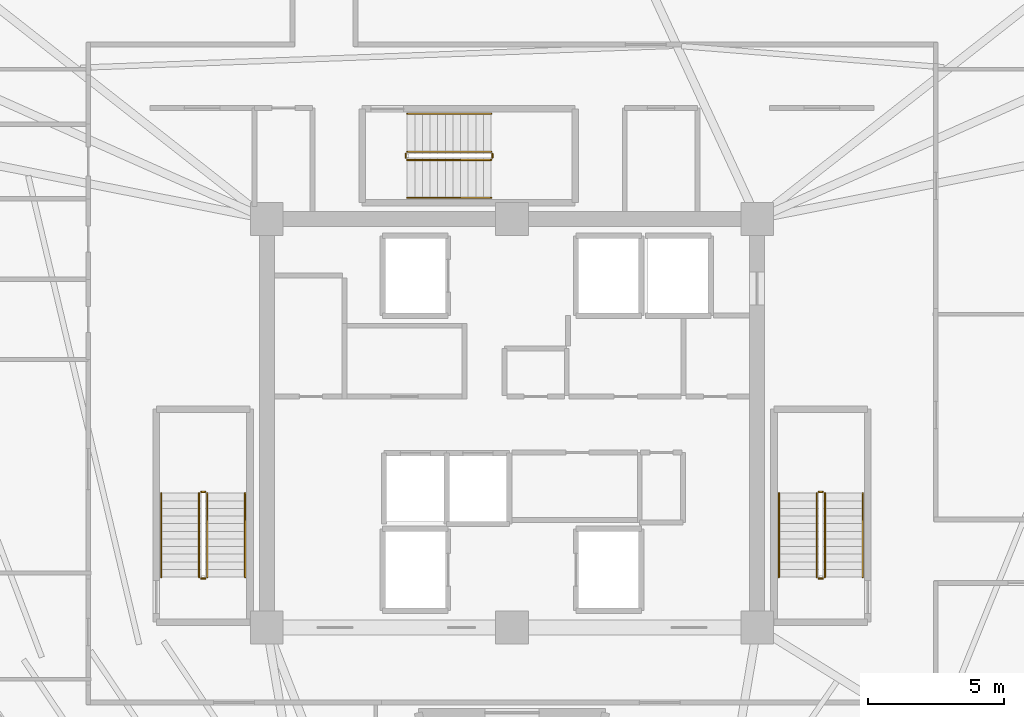
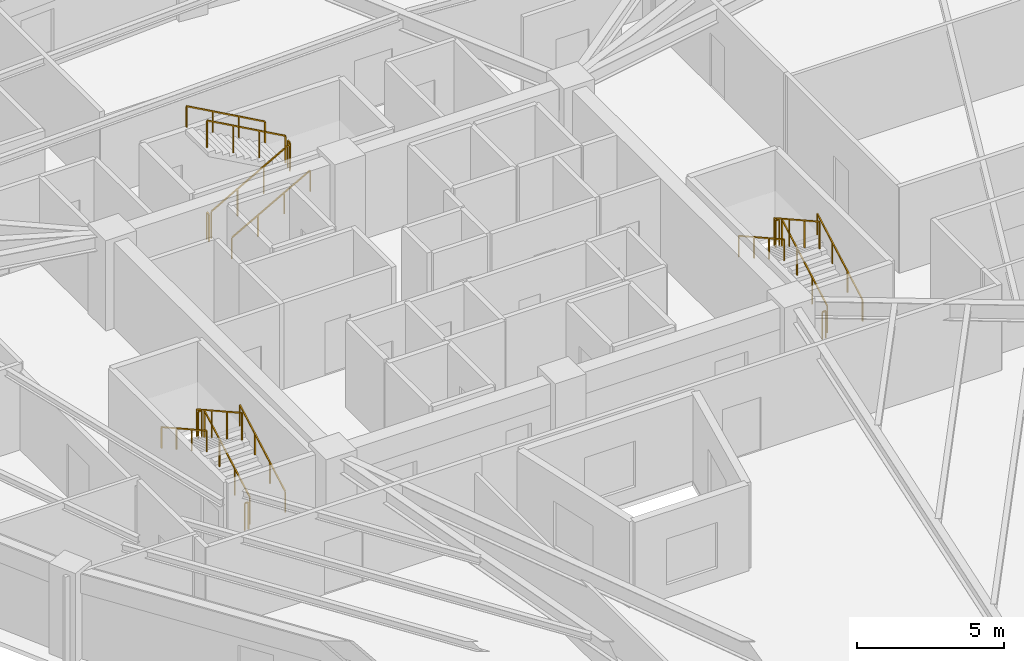
# One storey, part 8 of 8: 18 railings.
"""IFC4 building model written with IfcOpenShell, lengths in metres."""

from ifc_helpers import new_model, si_unit, direction, frame, origin, origin_2d, place, context, subcontext, project, spatial, rectangle, extrude, material, type_object, element, save


model = new_model("IFC4")

# Units and contexts
model_context = context("Model", 3, precision=1e-05, world=origin(), true_north=direction((0.0, 1.0)))
body_context = subcontext(model_context, "Body", "Model", "MODEL_VIEW")
ifc_project = project(units=[si_unit("LENGTHUNIT", "METRE"), si_unit("AREAUNIT", "SQUARE_METRE"), si_unit("VOLUMEUNIT", "CUBIC_METRE"), si_unit("PLANEANGLEUNIT", "RADIAN"), si_unit("MASSUNIT", "GRAM", prefix="KILO")], contexts=[model_context])

# Site, building, storey
site_placement = place(None, origin())
site = spatial("IfcSite", under=ifc_project, at=site_placement, CompositionType="ELEMENT")
building_placement = place(site_placement, origin())
building = spatial("IfcBuilding", under=site, at=building_placement, Name="Liaohun Quay Tower", CompositionType="ELEMENT")
storey_placement = place(building_placement, frame((0.0, 0.0, 312.75)))
storey = spatial("IfcBuildingStorey", under=building, at=storey_placement, Name="L81", CompositionType="ELEMENT", Elevation=312.75)

# Railings
ifc_material_1 = material(Name="Painted tubular steel", Category="steel")
railing_type_1 = type_object("IfcRailingType", Name="RLG-GUARD-STR", PredefinedType="GUARDRAIL", material=ifc_material_1)
railing_1_placement = place(storey_placement, frame((48.81005859375, 48.35009765625, 0.15625)))
element("IfcRailing", 1, at=railing_1_placement, inside=storey, type_object=railing_type_1, Name="L81 ST-1 stair guard 1", PredefinedType="GUARDRAIL", context=body_context, shape_type="SweptSolid", body=[
    extrude(rectangle(XDim=0.048095703125, YDim=0.048095703125, at=origin_2d()), frame((0.0, 0.0, 1.1259765625), z_axis=(0.0, 0.873225103656, 0.487317061414), x_axis=(-1.0, 0.0, 0.0)), (0.0, 0.0, 1.0), 3.52685546875),
    extrude(rectangle(XDim=0.0419921875, YDim=0.0419921875, at=origin_2d()), origin(), (0.0, 0.0, 1.0), 1.101806640625),
    extrude(rectangle(XDim=0.0419921875, YDim=0.0419921875, at=origin_2d()), frame((0.0, 1.026611328125, 0.572998046875)), (0.0, 0.0, 1.0), 1.101806640625),
    extrude(rectangle(XDim=0.0419921875, YDim=0.0419921875, at=origin_2d()), frame((0.0, 2.05322265625, 1.145751953125)), (0.0, 0.0, 1.0), 1.101806640625),
    extrude(rectangle(XDim=0.0419921875, YDim=0.0419921875, at=origin_2d()), frame((0.0, 3.079833984375, 1.71875)), (0.0, 0.0, 1.0), 1.101806640625),
])
railing_2_placement = place(storey_placement, frame((48.72998046875, 51.47998046875, 1.875)))
element("IfcRailing", 2, at=railing_2_placement, inside=storey, type_object=railing_type_1, Name="L81 ST-1 stair guard 2", PredefinedType="GUARDRAIL", context=body_context, shape_type="SweptSolid", body=[
    extrude(rectangle(XDim=0.048095703125, YDim=0.048095703125, at=origin_2d()), frame((0.0, 0.0, 1.1259765625), z_axis=(-1.0, 0.0, 0.0), x_axis=(0.0, -1.0, 0.0)), (0.0, 0.0, 1.0), 0.139892578125),
    extrude(rectangle(XDim=0.0419921875, YDim=0.0419921875, at=origin_2d()), origin(), (0.0, 0.0, 1.0), 1.101806640625),
    extrude(rectangle(XDim=0.0419921875, YDim=0.0419921875, at=origin_2d()), frame((-0.139892578125, 0.0, 0.0)), (0.0, 0.0, 1.0), 1.101806640625),
])
railing_3_placement = place(storey_placement, frame((48.510009765625, 51.429931640625, 2.03125)))
element("IfcRailing", 3, at=railing_3_placement, inside=storey, type_object=railing_type_1, Name="L81 ST-1 stair guard 3", PredefinedType="GUARDRAIL", context=body_context, shape_type="SweptSolid", body=[
    extrude(rectangle(XDim=0.048095703125, YDim=0.048095703125, at=origin_2d()), frame((0.0, 0.0, 1.1259765625), z_axis=(0.0, -0.873225103656, 0.487317061414), x_axis=(1.0, 0.0, 0.0)), (0.0, 0.0, 1.0), 3.52685546875),
    extrude(rectangle(XDim=0.0419921875, YDim=0.0419921875, at=origin_2d()), origin(), (0.0, 0.0, 1.0), 1.101806640625),
    extrude(rectangle(XDim=0.0419921875, YDim=0.0419921875, at=origin_2d()), frame((0.0, -1.026611328125, 0.572998046875)), (0.0, 0.0, 1.0), 1.101806640625),
    extrude(rectangle(XDim=0.0419921875, YDim=0.0419921875, at=origin_2d()), frame((0.0, -2.05322265625, 1.145751953125)), (0.0, 0.0, 1.0), 1.101806640625),
    extrude(rectangle(XDim=0.0419921875, YDim=0.0419921875, at=origin_2d()), frame((0.0, -3.079833984375, 1.71875)), (0.0, 0.0, 1.0), 1.101806640625),
])
railing_4_placement = place(storey_placement, frame((48.72998046875, 48.300048828125, 0.0)))
element("IfcRailing", 4, at=railing_4_placement, inside=storey, type_object=railing_type_1, Name="L81 ST-1 stair guard 4", PredefinedType="GUARDRAIL", context=body_context, shape_type="SweptSolid", body=[
    extrude(rectangle(XDim=0.048095703125, YDim=0.048095703125, at=origin_2d()), frame((0.0, 0.0, 1.1259765625), z_axis=(-1.0, 0.0, 0.0), x_axis=(0.0, -1.0, 0.0)), (0.0, 0.0, 1.0), 0.139892578125),
    extrude(rectangle(XDim=0.0419921875, YDim=0.0419921875, at=origin_2d()), origin(), (0.0, 0.0, 1.0), 1.101806640625),
    extrude(rectangle(XDim=0.0419921875, YDim=0.0419921875, at=origin_2d()), frame((-0.139892578125, 0.0, 0.0)), (0.0, 0.0, 1.0), 1.101806640625),
])
railing_5_placement = place(storey_placement, frame((71.489990234375, 48.35009765625, 0.15625)))
element("IfcRailing", 5, at=railing_5_placement, inside=storey, type_object=railing_type_1, Name="L81 ST-2 stair guard 1", PredefinedType="GUARDRAIL", context=body_context, shape_type="SweptSolid", body=[
    extrude(rectangle(XDim=0.048095703125, YDim=0.048095703125, at=origin_2d()), frame((0.0, 0.0, 1.1259765625), z_axis=(0.0, 0.873225103656, 0.487317061414), x_axis=(-1.0, 0.0, 0.0)), (0.0, 0.0, 1.0), 3.52685546875),
    extrude(rectangle(XDim=0.0419921875, YDim=0.0419921875, at=origin_2d()), origin(), (0.0, 0.0, 1.0), 1.101806640625),
    extrude(rectangle(XDim=0.0419921875, YDim=0.0419921875, at=origin_2d()), frame((0.0, 1.026611328125, 0.572998046875)), (0.0, 0.0, 1.0), 1.101806640625),
    extrude(rectangle(XDim=0.0419921875, YDim=0.0419921875, at=origin_2d()), frame((0.0, 2.05322265625, 1.145751953125)), (0.0, 0.0, 1.0), 1.101806640625),
    extrude(rectangle(XDim=0.0419921875, YDim=0.0419921875, at=origin_2d()), frame((0.0, 3.079833984375, 1.71875)), (0.0, 0.0, 1.0), 1.101806640625),
])
railing_6_placement = place(storey_placement, frame((71.409912109375, 51.47998046875, 1.875)))
element("IfcRailing", 6, at=railing_6_placement, inside=storey, type_object=railing_type_1, Name="L81 ST-2 stair guard 2", PredefinedType="GUARDRAIL", context=body_context, shape_type="SweptSolid", body=[
    extrude(rectangle(XDim=0.048095703125, YDim=0.048095703125, at=origin_2d()), frame((0.0, 0.0, 1.1259765625), z_axis=(-1.0, 0.0, 0.0), x_axis=(0.0, -1.0, 0.0)), (0.0, 0.0, 1.0), 0.139892578125),
    extrude(rectangle(XDim=0.0419921875, YDim=0.0419921875, at=origin_2d()), origin(), (0.0, 0.0, 1.0), 1.101806640625),
    extrude(rectangle(XDim=0.0419921875, YDim=0.0419921875, at=origin_2d()), frame((-0.139892578125, 0.0, 0.0)), (0.0, 0.0, 1.0), 1.101806640625),
])
railing_7_placement = place(storey_placement, frame((71.18994140625, 51.429931640625, 2.03125)))
element("IfcRailing", 7, at=railing_7_placement, inside=storey, type_object=railing_type_1, Name="L81 ST-2 stair guard 3", PredefinedType="GUARDRAIL", context=body_context, shape_type="SweptSolid", body=[
    extrude(rectangle(XDim=0.048095703125, YDim=0.048095703125, at=origin_2d()), frame((0.0, 0.0, 1.1259765625), z_axis=(0.0, -0.873225103656, 0.487317061414), x_axis=(1.0, 0.0, 0.0)), (0.0, 0.0, 1.0), 3.52685546875),
    extrude(rectangle(XDim=0.0419921875, YDim=0.0419921875, at=origin_2d()), origin(), (0.0, 0.0, 1.0), 1.101806640625),
    extrude(rectangle(XDim=0.0419921875, YDim=0.0419921875, at=origin_2d()), frame((0.0, -1.026611328125, 0.572998046875)), (0.0, 0.0, 1.0), 1.101806640625),
    extrude(rectangle(XDim=0.0419921875, YDim=0.0419921875, at=origin_2d()), frame((0.0, -2.05322265625, 1.145751953125)), (0.0, 0.0, 1.0), 1.101806640625),
    extrude(rectangle(XDim=0.0419921875, YDim=0.0419921875, at=origin_2d()), frame((0.0, -3.079833984375, 1.71875)), (0.0, 0.0, 1.0), 1.101806640625),
])
railing_8_placement = place(storey_placement, frame((71.409912109375, 48.300048828125, 0.0)))
element("IfcRailing", 8, at=railing_8_placement, inside=storey, type_object=railing_type_1, Name="L81 ST-2 stair guard 4", PredefinedType="GUARDRAIL", context=body_context, shape_type="SweptSolid", body=[
    extrude(rectangle(XDim=0.048095703125, YDim=0.048095703125, at=origin_2d()), frame((0.0, 0.0, 1.1259765625), z_axis=(-1.0, 0.0, 0.0), x_axis=(0.0, -1.0, 0.0)), (0.0, 0.0, 1.0), 0.139892578125),
    extrude(rectangle(XDim=0.0419921875, YDim=0.0419921875, at=origin_2d()), origin(), (0.0, 0.0, 1.0), 1.101806640625),
    extrude(rectangle(XDim=0.0419921875, YDim=0.0419921875, at=origin_2d()), frame((-0.139892578125, 0.0, 0.0)), (0.0, 0.0, 1.0), 1.101806640625),
])
railing_9_placement = place(storey_placement, frame((56.14990234375, 63.669921875, 0.15625)))
element("IfcRailing", 9, at=railing_9_placement, inside=storey, type_object=railing_type_1, Name="L81 ST-3 stair guard 1", PredefinedType="GUARDRAIL", context=body_context, shape_type="SweptSolid", body=[
    extrude(rectangle(XDim=0.048095703125, YDim=0.048095703125, at=origin_2d()), frame((0.0, 0.0, 1.1259765625), z_axis=(0.873241540666, 0.0, 0.487287606713), x_axis=(0.0, 1.0, 0.0)), (0.0, 0.0, 1.0), 3.527099609375),
    extrude(rectangle(XDim=0.0419921875, YDim=0.0419921875, at=origin_2d()), origin(), (0.0, 0.0, 1.0), 1.101806640625),
    extrude(rectangle(XDim=0.0419921875, YDim=0.0419921875, at=origin_2d()), frame((1.026611328125, 0.0, 0.572998046875)), (0.0, 0.0, 1.0), 1.101806640625),
    extrude(rectangle(XDim=0.0419921875, YDim=0.0419921875, at=origin_2d()), frame((2.053466796875, 0.0, 1.145751953125)), (0.0, 0.0, 1.0), 1.101806640625),
    extrude(rectangle(XDim=0.0419921875, YDim=0.0419921875, at=origin_2d()), frame((3.080078125, 0.0, 1.71875)), (0.0, 0.0, 1.0), 1.101806640625),
])
railing_10_placement = place(storey_placement, frame((59.280029296875, 63.75, 1.875)))
element("IfcRailing", 10, at=railing_10_placement, inside=storey, type_object=railing_type_1, Name="L81 ST-3 stair guard 2", PredefinedType="GUARDRAIL", context=body_context, shape_type="SweptSolid", body=[
    extrude(rectangle(XDim=0.048095703125, YDim=0.048095703125, at=origin_2d()), frame((0.0, 0.0, 1.1259765625), z_axis=(0.0, 1.0, 0.0), x_axis=(-1.0, 0.0, 0.0)), (0.0, 0.0, 1.0), 0.139892578125),
    extrude(rectangle(XDim=0.0419921875, YDim=0.0419921875, at=origin_2d()), origin(), (0.0, 0.0, 1.0), 1.101806640625),
    extrude(rectangle(XDim=0.0419921875, YDim=0.0419921875, at=origin_2d()), frame((0.0, 0.139892578125, 0.0)), (0.0, 0.0, 1.0), 1.101806640625),
])
railing_11_placement = place(storey_placement, frame((59.22998046875, 63.969970703125, 2.03125)))
element("IfcRailing", 11, at=railing_11_placement, inside=storey, type_object=railing_type_1, Name="L81 ST-3 stair guard 3", PredefinedType="GUARDRAIL", context=body_context, shape_type="SweptSolid", body=[
    extrude(rectangle(XDim=0.048095703125, YDim=0.048095703125, at=origin_2d()), frame((0.0, 0.0, 1.1259765625), z_axis=(-0.873241540666, 0.0, 0.487287606713), x_axis=(0.0, -1.0, 0.0)), (0.0, 0.0, 1.0), 3.527099609375),
    extrude(rectangle(XDim=0.0419921875, YDim=0.0419921875, at=origin_2d()), origin(), (0.0, 0.0, 1.0), 1.101806640625),
    extrude(rectangle(XDim=0.0419921875, YDim=0.0419921875, at=origin_2d()), frame((-1.026611328125, 0.0, 0.572998046875)), (0.0, 0.0, 1.0), 1.101806640625),
    extrude(rectangle(XDim=0.0419921875, YDim=0.0419921875, at=origin_2d()), frame((-2.053466796875, 0.0, 1.145751953125)), (0.0, 0.0, 1.0), 1.101806640625),
    extrude(rectangle(XDim=0.0419921875, YDim=0.0419921875, at=origin_2d()), frame((-3.080078125, 0.0, 1.71875)), (0.0, 0.0, 1.0), 1.101806640625),
])
railing_12_placement = place(storey_placement, frame((56.10009765625, 63.75, 0.0)))
element("IfcRailing", 12, at=railing_12_placement, inside=storey, type_object=railing_type_1, Name="L81 ST-3 stair guard 4", PredefinedType="GUARDRAIL", context=body_context, shape_type="SweptSolid", body=[
    extrude(rectangle(XDim=0.048095703125, YDim=0.048095703125, at=origin_2d()), frame((0.0, 0.0, 1.1259765625), z_axis=(0.0, 1.0, 0.0), x_axis=(-1.0, 0.0, 0.0)), (0.0, 0.0, 1.0), 0.139892578125),
    extrude(rectangle(XDim=0.0419921875, YDim=0.0419921875, at=origin_2d()), origin(), (0.0, 0.0, 1.0), 1.101806640625),
    extrude(rectangle(XDim=0.0419921875, YDim=0.0419921875, at=origin_2d()), frame((0.0, 0.139892578125, 0.0)), (0.0, 0.0, 1.0), 1.101806640625),
])
ifc_material_2 = material(Name="Brushed stainless steel", Category="steel")
railing_type_2 = type_object("IfcRailingType", Name="RLG-HND-STR", PredefinedType="HANDRAIL", material=ifc_material_2)
railing_13_placement = place(storey_placement, frame((50.199951171875, 48.35009765625, 0.15625)))
element("IfcRailing", 13, at=railing_13_placement, inside=storey, type_object=railing_type_2, Name="L81 ST-1 stair handrail 1", PredefinedType="HANDRAIL", context=body_context, shape_type="SweptSolid", body=[
    extrude(rectangle(XDim=0.048095703125, YDim=0.048095703125, at=origin_2d()), frame((0.0, 0.0, 0.8759765625), z_axis=(0.0, 0.873225103656, 0.487317061414), x_axis=(-1.0, 0.0, 0.0)), (0.0, 0.0, 1.0), 3.52685546875),
    extrude(rectangle(XDim=0.0419921875, YDim=0.0419921875, at=origin_2d()), origin(), (0.0, 0.0, 1.0), 0.851806640625),
    extrude(rectangle(XDim=0.0419921875, YDim=0.0419921875, at=origin_2d()), frame((0.0, 1.026611328125, 0.572998046875)), (0.0, 0.0, 1.0), 0.851806640625),
    extrude(rectangle(XDim=0.0419921875, YDim=0.0419921875, at=origin_2d()), frame((0.0, 2.05322265625, 1.145751953125)), (0.0, 0.0, 1.0), 0.851806640625),
    extrude(rectangle(XDim=0.0419921875, YDim=0.0419921875, at=origin_2d()), frame((0.0, 3.079833984375, 1.71875)), (0.0, 0.0, 1.0), 0.851806640625),
])
railing_14_placement = place(storey_placement, frame((47.1201171875, 51.429931640625, 2.03125)))
element("IfcRailing", 14, at=railing_14_placement, inside=storey, type_object=railing_type_2, Name="L81 ST-1 stair handrail 2", PredefinedType="HANDRAIL", context=body_context, shape_type="SweptSolid", body=[
    extrude(rectangle(XDim=0.048095703125, YDim=0.048095703125, at=origin_2d()), frame((0.0, 0.0, 0.8759765625), z_axis=(0.0, -0.873225103656, 0.487317061414), x_axis=(1.0, 0.0, 0.0)), (0.0, 0.0, 1.0), 3.52685546875),
    extrude(rectangle(XDim=0.0419921875, YDim=0.0419921875, at=origin_2d()), origin(), (0.0, 0.0, 1.0), 0.851806640625),
    extrude(rectangle(XDim=0.0419921875, YDim=0.0419921875, at=origin_2d()), frame((0.0, -1.026611328125, 0.572998046875)), (0.0, 0.0, 1.0), 0.851806640625),
    extrude(rectangle(XDim=0.0419921875, YDim=0.0419921875, at=origin_2d()), frame((0.0, -2.05322265625, 1.145751953125)), (0.0, 0.0, 1.0), 0.851806640625),
    extrude(rectangle(XDim=0.0419921875, YDim=0.0419921875, at=origin_2d()), frame((0.0, -3.079833984375, 1.71875)), (0.0, 0.0, 1.0), 0.851806640625),
])
railing_15_placement = place(storey_placement, frame((72.8798828125, 48.35009765625, 0.15625)))
element("IfcRailing", 15, at=railing_15_placement, inside=storey, type_object=railing_type_2, Name="L81 ST-2 stair handrail 1", PredefinedType="HANDRAIL", context=body_context, shape_type="SweptSolid", body=[
    extrude(rectangle(XDim=0.048095703125, YDim=0.048095703125, at=origin_2d()), frame((0.0, 0.0, 0.8759765625), z_axis=(0.0, 0.873225103656, 0.487317061414), x_axis=(-1.0, 0.0, 0.0)), (0.0, 0.0, 1.0), 3.52685546875),
    extrude(rectangle(XDim=0.0419921875, YDim=0.0419921875, at=origin_2d()), origin(), (0.0, 0.0, 1.0), 0.851806640625),
    extrude(rectangle(XDim=0.0419921875, YDim=0.0419921875, at=origin_2d()), frame((0.0, 1.026611328125, 0.572998046875)), (0.0, 0.0, 1.0), 0.851806640625),
    extrude(rectangle(XDim=0.0419921875, YDim=0.0419921875, at=origin_2d()), frame((0.0, 2.05322265625, 1.145751953125)), (0.0, 0.0, 1.0), 0.851806640625),
    extrude(rectangle(XDim=0.0419921875, YDim=0.0419921875, at=origin_2d()), frame((0.0, 3.079833984375, 1.71875)), (0.0, 0.0, 1.0), 0.851806640625),
])
railing_16_placement = place(storey_placement, frame((69.800048828125, 51.429931640625, 2.03125)))
element("IfcRailing", 16, at=railing_16_placement, inside=storey, type_object=railing_type_2, Name="L81 ST-2 stair handrail 2", PredefinedType="HANDRAIL", context=body_context, shape_type="SweptSolid", body=[
    extrude(rectangle(XDim=0.048095703125, YDim=0.048095703125, at=origin_2d()), frame((0.0, 0.0, 0.8759765625), z_axis=(0.0, -0.873225103656, 0.487317061414), x_axis=(1.0, 0.0, 0.0)), (0.0, 0.0, 1.0), 3.52685546875),
    extrude(rectangle(XDim=0.0419921875, YDim=0.0419921875, at=origin_2d()), origin(), (0.0, 0.0, 1.0), 0.851806640625),
    extrude(rectangle(XDim=0.0419921875, YDim=0.0419921875, at=origin_2d()), frame((0.0, -1.026611328125, 0.572998046875)), (0.0, 0.0, 1.0), 0.851806640625),
    extrude(rectangle(XDim=0.0419921875, YDim=0.0419921875, at=origin_2d()), frame((0.0, -2.05322265625, 1.145751953125)), (0.0, 0.0, 1.0), 0.851806640625),
    extrude(rectangle(XDim=0.0419921875, YDim=0.0419921875, at=origin_2d()), frame((0.0, -3.079833984375, 1.71875)), (0.0, 0.0, 1.0), 0.851806640625),
])
railing_17_placement = place(storey_placement, frame((56.14990234375, 62.280029296875, 0.15625)))
element("IfcRailing", 17, at=railing_17_placement, inside=storey, type_object=railing_type_2, Name="L81 ST-3 stair handrail 1", PredefinedType="HANDRAIL", context=body_context, shape_type="SweptSolid", body=[
    extrude(rectangle(XDim=0.048095703125, YDim=0.048095703125, at=origin_2d()), frame((0.0, 0.0, 0.8759765625), z_axis=(0.873241540666, 0.0, 0.487287606713), x_axis=(0.0, 1.0, 0.0)), (0.0, 0.0, 1.0), 3.527099609375),
    extrude(rectangle(XDim=0.0419921875, YDim=0.0419921875, at=origin_2d()), origin(), (0.0, 0.0, 1.0), 0.851806640625),
    extrude(rectangle(XDim=0.0419921875, YDim=0.0419921875, at=origin_2d()), frame((1.026611328125, 0.0, 0.572998046875)), (0.0, 0.0, 1.0), 0.851806640625),
    extrude(rectangle(XDim=0.0419921875, YDim=0.0419921875, at=origin_2d()), frame((2.053466796875, 0.0, 1.145751953125)), (0.0, 0.0, 1.0), 0.851806640625),
    extrude(rectangle(XDim=0.0419921875, YDim=0.0419921875, at=origin_2d()), frame((3.080078125, 0.0, 1.71875)), (0.0, 0.0, 1.0), 0.851806640625),
])
railing_18_placement = place(storey_placement, frame((59.22998046875, 65.360107421875, 2.03125)))
element("IfcRailing", 18, at=railing_18_placement, inside=storey, type_object=railing_type_2, Name="L81 ST-3 stair handrail 2", PredefinedType="HANDRAIL", context=body_context, shape_type="SweptSolid", body=[
    extrude(rectangle(XDim=0.048095703125, YDim=0.048095703125, at=origin_2d()), frame((0.0, 0.0, 0.8759765625), z_axis=(-0.873241540666, 0.0, 0.487287606713), x_axis=(0.0, -1.0, 0.0)), (0.0, 0.0, 1.0), 3.527099609375),
    extrude(rectangle(XDim=0.0419921875, YDim=0.0419921875, at=origin_2d()), origin(), (0.0, 0.0, 1.0), 0.851806640625),
    extrude(rectangle(XDim=0.0419921875, YDim=0.0419921875, at=origin_2d()), frame((-1.026611328125, 0.0, 0.572998046875)), (0.0, 0.0, 1.0), 0.851806640625),
    extrude(rectangle(XDim=0.0419921875, YDim=0.0419921875, at=origin_2d()), frame((-2.053466796875, 0.0, 1.145751953125)), (0.0, 0.0, 1.0), 0.851806640625),
    extrude(rectangle(XDim=0.0419921875, YDim=0.0419921875, at=origin_2d()), frame((-3.080078125, 0.0, 1.71875)), (0.0, 0.0, 1.0), 0.851806640625),
])

save(model, "model.ifc")
